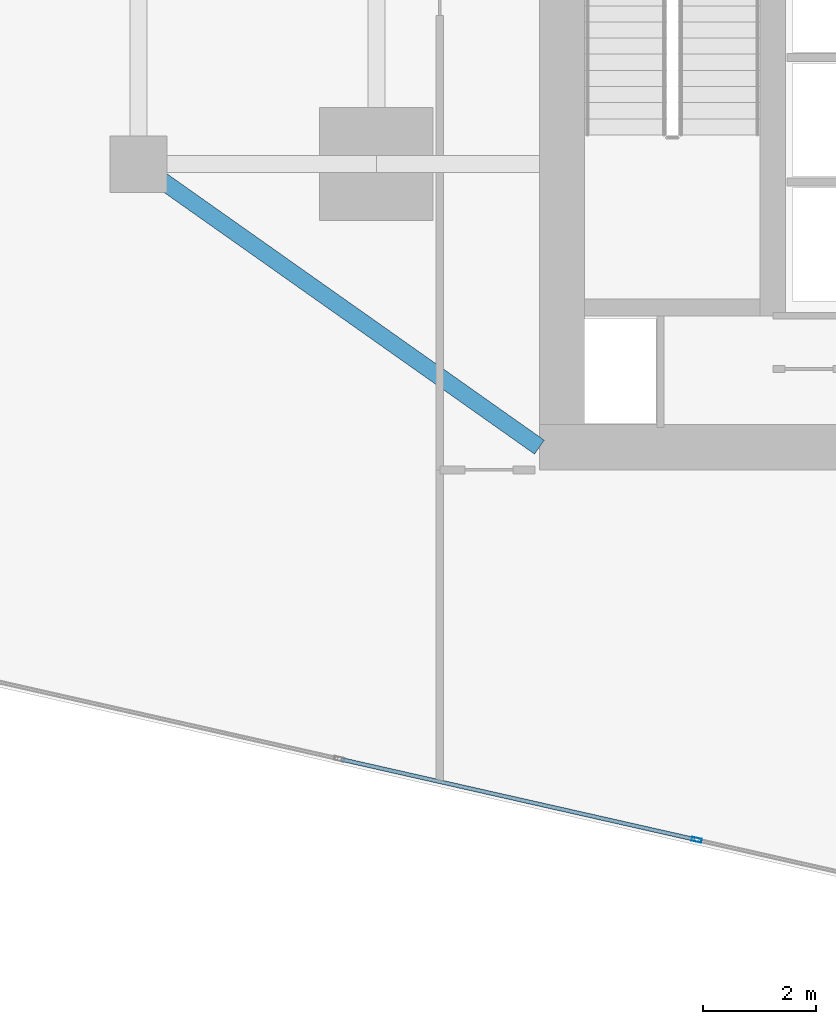
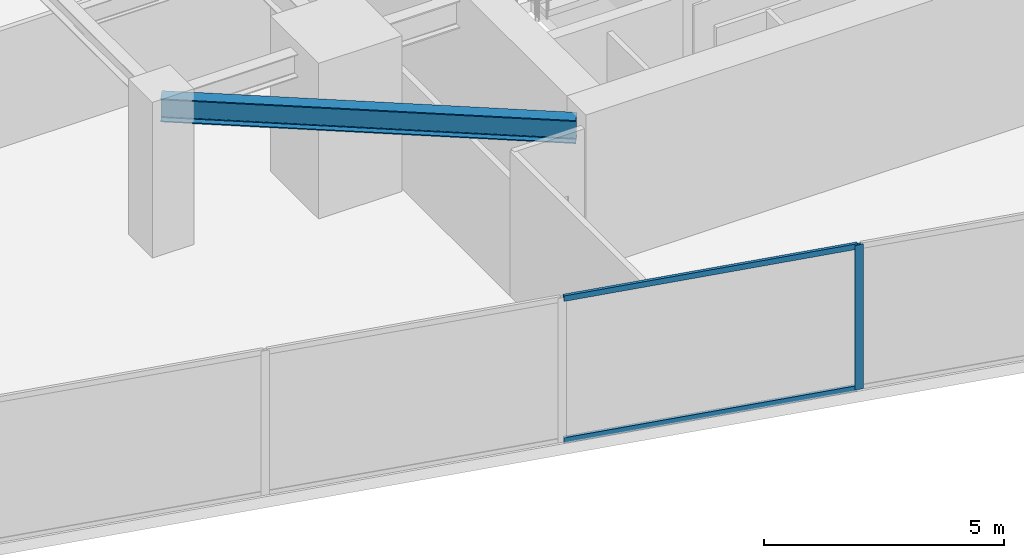
# One storey, part 4 of 26: 3 members, 1 beam, 1 element without a shape of its own.
"""IFC4 building model written with IfcOpenShell, lengths in metres."""

from ifc_helpers import new_model, si_unit, direction, frame, origin, origin_2d, place, context, subcontext, project, spatial, hollow_rectangle, i_section, extrude, source, transform, mapped, material, material_profile, profile_set, type_object, type_shapes, element, aggregate, save


model = new_model("IFC4")

# Units and contexts
model_context = context("Model", 3, precision=1e-05, world=origin(), true_north=direction((0.0, 1.0)))
body_context = subcontext(model_context, "Body", "Model", "MODEL_VIEW")
ifc_project = project(units=[si_unit("LENGTHUNIT", "METRE"), si_unit("AREAUNIT", "SQUARE_METRE"), si_unit("VOLUMEUNIT", "CUBIC_METRE"), si_unit("PLANEANGLEUNIT", "RADIAN"), si_unit("MASSUNIT", "GRAM", prefix="KILO")], contexts=[model_context])

# Site, building, storey
site_placement = place(None, origin())
site = spatial("IfcSite", under=ifc_project, at=site_placement, CompositionType="ELEMENT")
building_placement = place(site_placement, origin())
building = spatial("IfcBuilding", under=site, at=building_placement, Name="Krantzveldt Concourse Tower", CompositionType="ELEMENT")
storey_placement = place(building_placement, frame((0.0, 0.0, 94.0)))
storey = spatial("IfcBuildingStorey", under=building, at=storey_placement, Name="L22", CompositionType="ELEMENT", Elevation=94.0)

# Beam
ifc_material_1 = material(Name="Steel S355JR", Category="steel")
ifc_material_profile_1 = material_profile(ifc_material_1, i_section(OverallWidth=0.300048828125, OverallDepth=0.590087890625, WebThickness=0.012939453125, FlangeThickness=0.02490234375, FilletRadius=0.027099609375, at=origin_2d()), Name="Steel S355JR", Category="steel")
ifc_profile_set_1 = profile_set([ifc_material_profile_1], Name="Steel S355JR - HEA 600")
beam_type = type_object("IfcBeamType", Name="BM-B-HEA600", PredefinedType="BEAM", material=ifc_profile_set_1)
shared_shape_1 = source(origin(), body_context, "Body", "SweptSolid", [
    extrude(i_section(OverallWidth=0.300048828125, OverallDepth=0.590087890625, WebThickness=0.012939453125, FlangeThickness=0.02490234375, FilletRadius=0.027099609375, at=origin_2d()), origin(), (0.0, 0.0, 1.0), 8.667724609375),
])
type_shapes(beam_type, [shared_shape_1])
beam_placement = place(storey_placement, frame((21.0, 15.89990234375, 3.375), z_axis=(0.81684294656, -0.576860122261, 0.0), x_axis=(0.576860122261, 0.81684294656, 0.0)))
element("IfcBeam", 1, at=beam_placement, inside=storey, type_object=beam_type, Name="L22 Tower Girder BR-CSW", PredefinedType="BEAM", context=body_context, shape_type="MappedRepresentation", body=[
    mapped(shared_shape_1, transform((0.0, 0.0, 0.0), x_axis=(1.0, 0.0, 0.0), y_axis=(0.0, 1.0, 0.0), z_axis=(0.0, 0.0, 1.0), scale=1.0)),
])

# Curtain wall, members
ifc_material_2 = material(Name="Anodised aluminium 6063-T6", Category="aluminium")
curtain_wall_type = type_object("IfcCurtainWallType", Name="CW2", PredefinedType="USERDEFINED", material=ifc_material_2)
curtain_wall_placement = place(storey_placement, origin())
curtain_wall = element("IfcCurtainWall", 2, at=curtain_wall_placement, inside=storey, type_object=curtain_wall_type, Name="CW-L22-F04", ObjectType="UNITISED CURTAIN WALL", PredefinedType="USERDEFINED")
ifc_material_profile_2 = material_profile(ifc_material_2, hollow_rectangle(XDim=0.070068359375, YDim=0.179931640625, WallThickness=0.0048828125, at=origin_2d()), Name="Anodised aluminium 6063-T6", Category="aluminium")
ifc_profile_set_2 = profile_set([ifc_material_profile_2], Name="Anodised aluminium 6063-T6 - ALU-MULL 180x70x5")
member_type_1 = type_object("IfcMemberType", Name="CW-MUL-180", PredefinedType="MULLION", material=ifc_profile_set_2)
shared_shape_2 = source(origin(), body_context, "Body", "SweptSolid", [
    extrude(hollow_rectangle(XDim=0.070068359375, YDim=0.179931640625, WallThickness=0.0048828125, at=origin_2d()), origin(), (0.0, 0.0, 1.0), 3.669921875),
])
type_shapes(member_type_1, [shared_shape_2])
member_1_placement = place(storey_placement, frame((30.85546875, 3.96484375, 0.0), z_axis=(0.0, 0.0, 1.0), x_axis=(0.220697434579, 0.975342320609, 0.0)))
member_1 = element("IfcMember", 3, at=member_1_placement, type_object=member_type_1, Name="CW-Z12 mullion 4", PredefinedType="MULLION", context=body_context, shape_type="MappedRepresentation", body=[
    mapped(shared_shape_2, transform((0.0, 0.0, 0.0), x_axis=(1.0, 0.0, 0.0), y_axis=(0.0, 1.0, 0.0), z_axis=(0.0, 0.0, 1.0), scale=1.0)),
])
ifc_material_profile_3 = material_profile(ifc_material_2, hollow_rectangle(XDim=0.070068359375, YDim=0.139892578125, WallThickness=0.0048828125, at=origin_2d()), Name="Anodised aluminium 6063-T6", Category="aluminium")
ifc_profile_set_3 = profile_set([ifc_material_profile_3], Name="Anodised aluminium 6063-T6 - ALU-TRAN 140x70x5")
member_type_2 = type_object("IfcMemberType", Name="CW-TRN-150", PredefinedType="USERDEFINED", material=ifc_profile_set_3)
shared_shape_3 = source(origin(), body_context, "Body", "SweptSolid", [
    extrude(hollow_rectangle(XDim=0.070068359375, YDim=0.139892578125, WallThickness=0.0048828125, at=origin_2d()), origin(), (0.0, 0.0, 1.0), 6.396484375),
])
type_shapes(member_type_2, [shared_shape_3])
member_2_placement = place(storey_placement, frame((24.58251953125, 5.38427734375, 0.034912109375), z_axis=(0.975336403615, -0.2207235823, 0.0), x_axis=(0.2207235823, 0.975336403615, 0.0)))
member_2 = element("IfcMember", 4, at=member_2_placement, type_object=member_type_2, Name="CW-Z12 transom 3.1", ObjectType="TRANSOM", PredefinedType="USERDEFINED", context=body_context, shape_type="MappedRepresentation", body=[
    mapped(shared_shape_3, transform((0.0, 0.0, 0.0), x_axis=(1.0, 0.0, 0.0), y_axis=(0.0, 1.0, 0.0), z_axis=(0.0, 0.0, 1.0), scale=1.0)),
])
member_3_placement = place(storey_placement, frame((24.58251953125, 5.38427734375, 3.635009765625), z_axis=(0.975336403615, -0.2207235823, 0.0), x_axis=(0.2207235823, 0.975336403615, 0.0)))
member_3 = element("IfcMember", 5, at=member_3_placement, type_object=member_type_2, Name="CW-Z12 transom 3.2", ObjectType="TRANSOM", PredefinedType="USERDEFINED", context=body_context, shape_type="MappedRepresentation", body=[
    mapped(shared_shape_3, transform((0.0, 0.0, 0.0), x_axis=(1.0, 0.0, 0.0), y_axis=(0.0, 1.0, 0.0), z_axis=(0.0, 0.0, 1.0), scale=1.0)),
])
aggregate(curtain_wall, [member_1, member_2, member_3])

save(model, "model.ifc")
